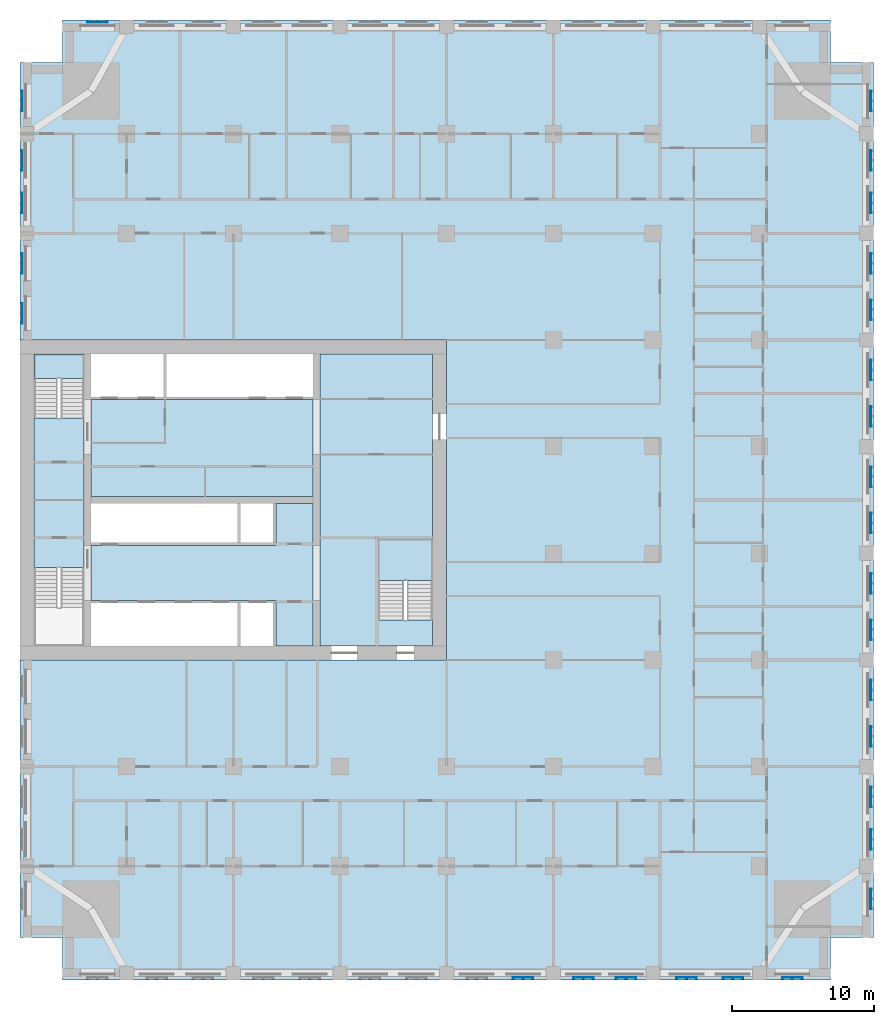
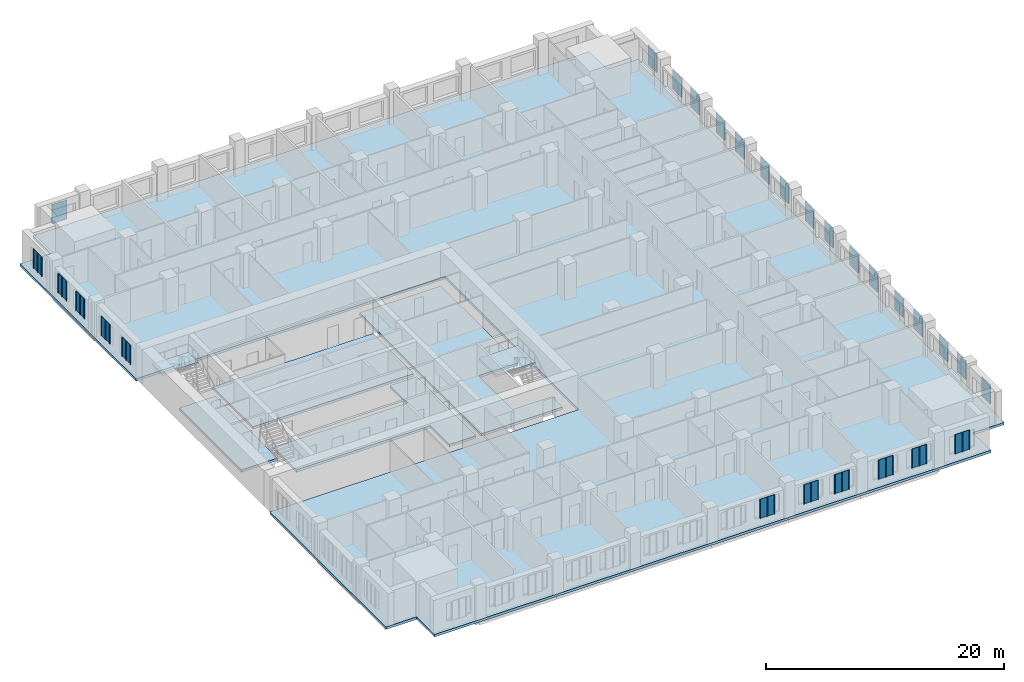
# One storey, part 2 of 14: 28 plates, 7 slabs, 2 elements without a shape of their own.
"""IFC4 building model written with IfcOpenShell, lengths in metres."""

from ifc_helpers import new_model, si_unit, direction, frame, origin, place, context, subcontext, project, spatial, polyline, outline, extrude, material, layer, layer_set, type_object, element, aggregate, save


model = new_model("IFC4")

# Units and contexts
model_context = context("Model", 3, precision=1e-05, world=origin(), true_north=direction((0.0, 1.0)))
body_context = subcontext(model_context, "Body", "Model", "MODEL_VIEW")
ifc_project = project(units=[si_unit("LENGTHUNIT", "METRE"), si_unit("AREAUNIT", "SQUARE_METRE"), si_unit("VOLUMEUNIT", "CUBIC_METRE"), si_unit("PLANEANGLEUNIT", "RADIAN"), si_unit("MASSUNIT", "GRAM", prefix="KILO")], contexts=[model_context])

# Site, building, storey
site_placement = place(None, origin())
site = spatial("IfcSite", under=ifc_project, at=site_placement, CompositionType="ELEMENT")
building_placement = place(site_placement, origin())
building = spatial("IfcBuilding", under=site, at=building_placement, Name="Tamorin Gate", CompositionType="ELEMENT")
storey_placement = place(building_placement, frame((0.0, 0.0, 44.800048828125)))
storey = spatial("IfcBuildingStorey", under=building, at=storey_placement, Name="L09", CompositionType="ELEMENT", Elevation=44.800048828125)

# Slabs
ifc_material_1 = material(Name="Concrete C40/50", Category="concrete")
ifc_layer_1 = layer(ifc_material_1, 0.25)
ifc_layer_set_1 = layer_set([ifc_layer_1], Name="Core floor slab 250 C40/50")
slab_type_1 = type_object("IfcSlabType", Name="Core floor slab 250 C40/50", PredefinedType="FLOOR", material=ifc_layer_set_1)
slab_1_placement = place(storey_placement, frame((0.0, 0.0, -0.25)))
element("IfcSlab", 1, at=slab_1_placement, inside=storey, type_object=slab_type_1, Name="Core floor L09", PredefinedType="FLOOR", context=body_context, shape_type="SweptSolid", body=[
    extrude(outline(polyline([(59.0, 62.800048828125), (59.0, 61.0), (51.10009765625, 61.0), (51.10009765625, 81.5), (59.0, 81.5), (59.0, 68.5), (55.199951171875, 68.5), (55.199951171875, 62.800048828125), (59.0, 62.800048828125)])), origin(), (0.0, 0.0, 1.0), 0.25),
])
slab_2_placement = place(storey_placement, frame((0.0, 0.0, -0.25)))
element("IfcSlab", 2, at=slab_2_placement, inside=storey, type_object=slab_type_1, Name="Core floor L09", PredefinedType="FLOOR", context=body_context, shape_type="SweptSolid", body=[
    extrude(outline(polyline([(50.60009765625, 61.0), (48.0, 61.0), (48.0, 64.199951171875), (35.0, 64.199951171875), (35.0, 68.050048828125), (48.0, 68.050048828125), (48.0, 71.0), (50.60009765625, 71.0), (50.60009765625, 61.0)])), origin(), (0.0, 0.0, 1.0), 0.25),
])
slab_3_placement = place(storey_placement, frame((0.0, 0.0, -0.25)))
element("IfcSlab", 3, at=slab_3_placement, inside=storey, type_object=slab_type_1, Name="Core floor L09", PredefinedType="FLOOR", context=body_context, shape_type="SweptSolid", body=[
    extrude(outline(polyline([(50.60009765625, 71.5), (35.0, 71.5), (35.0, 78.300048828125), (50.60009765625, 78.300048828125), (50.60009765625, 71.5)])), origin(), (0.0, 0.0, 1.0), 0.25),
])
slab_4_placement = place(storey_placement, frame((0.0, 0.0, -0.25)))
element("IfcSlab", 4, at=slab_4_placement, inside=storey, type_object=slab_type_1, Name="Core floor L09", PredefinedType="FLOOR", context=body_context, shape_type="SweptSolid", body=[
    extrude(outline(polyline([(31.0, 66.5), (31.0, 77.0), (34.5, 77.0), (34.5, 66.5), (31.0, 66.5)])), origin(), (0.0, 0.0, 1.0), 0.25),
])

# Stair, slab
stair_type = type_object("IfcStairType", Name="Exit stair", PredefinedType="HALF_TURN_STAIR", material=ifc_material_1)
stair_1_placement = place(storey_placement, origin())
stair_1 = element("IfcStair", 5, at=stair_1_placement, inside=storey, type_object=stair_type, Name="L09 stair ST2", PredefinedType="HALF_TURN_STAIR")
ifc_layer_2 = layer(ifc_material_1, 0.199951171875)
ifc_layer_set_2 = layer_set([ifc_layer_2], Name="Exit stair landing 200")
slab_type_2 = type_object("IfcSlabType", Name="Exit stair landing 200", PredefinedType="LANDING", material=ifc_layer_set_2)
slab_5_placement = place(storey_placement, frame((0.0, 0.0, 1.599853515625)))
slab_5 = element("IfcSlab", 6, at=slab_5_placement, type_object=slab_type_2, Name="ST2 landing 1", PredefinedType="LANDING", context=body_context, shape_type="SweptSolid", body=[
    extrude(outline(polyline([(34.5, 79.800048828125), (34.5, 81.5), (31.0, 81.5), (31.0, 79.800048828125), (34.5, 79.800048828125)])), origin(), (0.0, 0.0, 1.0), 0.2001953125),
])
aggregate(stair_1, [slab_5])

stair_2_placement = place(storey_placement, origin())
stair_2 = element("IfcStair", 7, at=stair_2_placement, inside=storey, type_object=stair_type, Name="L09 stair ST3", PredefinedType="HALF_TURN_STAIR")
slab_6_placement = place(storey_placement, frame((0.0, 0.0, 1.599853515625)))
slab_6 = element("IfcSlab", 8, at=slab_6_placement, type_object=slab_type_2, Name="ST3 landing 1", PredefinedType="LANDING", context=body_context, shape_type="SweptSolid", body=[
    extrude(outline(polyline([(59.0, 65.60009765625), (59.0, 68.5), (55.199951171875, 68.5), (55.199951171875, 65.60009765625), (59.0, 65.60009765625)])), origin(), (0.0, 0.0, 1.0), 0.2001953125),
])
aggregate(stair_2, [slab_6])

# Slab
ifc_layer_3 = layer(ifc_material_1, 0.25)
ifc_layer_set_3 = layer_set([ifc_layer_3], Name="Floor slab 250 C40/50")
slab_type_3 = type_object("IfcSlabType", Name="Floor slab 250 C40/50", PredefinedType="FLOOR", material=ifc_layer_set_3)
slab_7_placement = place(storey_placement, frame((0.0, 0.0, -0.25)))
element("IfcSlab", 9, at=slab_7_placement, inside=storey, type_object=slab_type_3, Name="Floor L09", PredefinedType="FLOOR", context=body_context, shape_type="SweptSolid", body=[
    extrude(outline(polyline([(30.0, 102.0), (33.0, 102.0), (33.0, 105.0), (87.0, 105.0), (87.0, 102.0), (90.0, 102.0), (90.0, 40.5), (87.0, 40.5), (87.0, 37.5), (33.0, 37.5), (33.0, 40.5), (30.0, 40.5), (30.0, 60.0), (60.0, 60.0), (60.0, 82.5), (30.0, 82.5), (30.0, 102.0)])), origin(), (0.0, 0.0, 1.0), 0.25),
])

# Plates
ifc_material_2 = material(Name="Perforated pale aluminium sheet", Category="aluminium")
ifc_layer_4 = layer(ifc_material_2, 0.0400390625)
ifc_layer_set_4 = layer_set([ifc_layer_4], Name="Pale metal solar screen 1440")
plate_type = type_object("IfcPlateType", Name="Pale metal solar screen 1440", PredefinedType="SHEET", material=ifc_layer_set_4)
plate_1_placement = place(storey_placement, frame((0.0, 0.0, 0.7099609375)))
element("IfcPlate", 10, at=plate_1_placement, inside=storey, type_object=plate_type, Name="Perforated solar screen", PredefinedType="SHEET", context=body_context, shape_type="SweptSolid", body=[
    extrude(outline(polyline([(64.655029296875, 37.659912109375), (64.655029296875, 37.699951171875), (64.715087890625, 37.699951171875), (65.344970703125, 37.699951171875), (65.405029296875, 37.699951171875), (66.034912109375, 37.699951171875), (66.094970703125, 37.699951171875), (66.094970703125, 37.659912109375), (66.094970703125, 37.60009765625), (66.034912109375, 37.60009765625), (66.034912109375, 37.659912109375), (65.405029296875, 37.659912109375), (65.405029296875, 37.60009765625), (65.344970703125, 37.60009765625), (65.344970703125, 37.659912109375), (64.715087890625, 37.659912109375), (64.715087890625, 37.60009765625), (64.655029296875, 37.60009765625), (64.655029296875, 37.659912109375)])), origin(), (0.0, 0.0, 1.0), 1.97998046875),
])
plate_2_placement = place(storey_placement, frame((0.0, 0.0, 0.7099609375)))
element("IfcPlate", 11, at=plate_2_placement, inside=storey, type_object=plate_type, Name="Perforated solar screen", PredefinedType="SHEET", context=body_context, shape_type="SweptSolid", body=[
    extrude(outline(polyline([(68.905029296875, 37.659912109375), (68.905029296875, 37.699951171875), (68.965087890625, 37.699951171875), (69.594970703125, 37.699951171875), (69.655029296875, 37.699951171875), (70.284912109375, 37.699951171875), (70.344970703125, 37.699951171875), (70.344970703125, 37.659912109375), (70.344970703125, 37.60009765625), (70.284912109375, 37.60009765625), (70.284912109375, 37.659912109375), (69.655029296875, 37.659912109375), (69.655029296875, 37.60009765625), (69.594970703125, 37.60009765625), (69.594970703125, 37.659912109375), (68.965087890625, 37.659912109375), (68.965087890625, 37.60009765625), (68.905029296875, 37.60009765625), (68.905029296875, 37.659912109375)])), origin(), (0.0, 0.0, 1.0), 1.97998046875),
])
plate_3_placement = place(storey_placement, frame((0.0, 0.0, 0.7099609375)))
element("IfcPlate", 12, at=plate_3_placement, inside=storey, type_object=plate_type, Name="Perforated solar screen", PredefinedType="SHEET", context=body_context, shape_type="SweptSolid", body=[
    extrude(outline(polyline([(71.905029296875, 37.659912109375), (71.905029296875, 37.699951171875), (71.965087890625, 37.699951171875), (72.594970703125, 37.699951171875), (72.655029296875, 37.699951171875), (73.284912109375, 37.699951171875), (73.344970703125, 37.699951171875), (73.344970703125, 37.659912109375), (73.344970703125, 37.60009765625), (73.284912109375, 37.60009765625), (73.284912109375, 37.659912109375), (72.655029296875, 37.659912109375), (72.655029296875, 37.60009765625), (72.594970703125, 37.60009765625), (72.594970703125, 37.659912109375), (71.965087890625, 37.659912109375), (71.965087890625, 37.60009765625), (71.905029296875, 37.60009765625), (71.905029296875, 37.659912109375)])), origin(), (0.0, 0.0, 1.0), 1.97998046875),
])
plate_4_placement = place(storey_placement, frame((0.0, 0.0, 0.7099609375)))
element("IfcPlate", 13, at=plate_4_placement, inside=storey, type_object=plate_type, Name="Perforated solar screen", PredefinedType="SHEET", context=body_context, shape_type="SweptSolid", body=[
    extrude(outline(polyline([(76.155029296875, 37.659912109375), (76.155029296875, 37.699951171875), (76.215087890625, 37.699951171875), (76.844970703125, 37.699951171875), (76.905029296875, 37.699951171875), (77.534912109375, 37.699951171875), (77.594970703125, 37.699951171875), (77.594970703125, 37.659912109375), (77.594970703125, 37.60009765625), (77.534912109375, 37.60009765625), (77.534912109375, 37.659912109375), (76.905029296875, 37.659912109375), (76.905029296875, 37.60009765625), (76.844970703125, 37.60009765625), (76.844970703125, 37.659912109375), (76.215087890625, 37.659912109375), (76.215087890625, 37.60009765625), (76.155029296875, 37.60009765625), (76.155029296875, 37.659912109375)])), origin(), (0.0, 0.0, 1.0), 1.97998046875),
])
plate_5_placement = place(storey_placement, frame((0.0, 0.0, 0.7099609375)))
element("IfcPlate", 14, at=plate_5_placement, inside=storey, type_object=plate_type, Name="Perforated solar screen", PredefinedType="SHEET", context=body_context, shape_type="SweptSolid", body=[
    extrude(outline(polyline([(79.405029296875, 37.659912109375), (79.405029296875, 37.699951171875), (79.465087890625, 37.699951171875), (80.094970703125, 37.699951171875), (80.155029296875, 37.699951171875), (80.784912109375, 37.699951171875), (80.844970703125, 37.699951171875), (80.844970703125, 37.659912109375), (80.844970703125, 37.60009765625), (80.784912109375, 37.60009765625), (80.784912109375, 37.659912109375), (80.155029296875, 37.659912109375), (80.155029296875, 37.60009765625), (80.094970703125, 37.60009765625), (80.094970703125, 37.659912109375), (79.465087890625, 37.659912109375), (79.465087890625, 37.60009765625), (79.405029296875, 37.60009765625), (79.405029296875, 37.659912109375)])), origin(), (0.0, 0.0, 1.0), 1.97998046875),
])
plate_6_placement = place(storey_placement, frame((0.0, 0.0, 0.7099609375)))
element("IfcPlate", 15, at=plate_6_placement, inside=storey, type_object=plate_type, Name="Perforated solar screen", PredefinedType="SHEET", context=body_context, shape_type="SweptSolid", body=[
    extrude(outline(polyline([(83.580078125, 37.659912109375), (83.580078125, 37.699951171875), (83.639892578125, 37.699951171875), (84.27001953125, 37.699951171875), (84.330078125, 37.699951171875), (84.9599609375, 37.699951171875), (85.02001953125, 37.699951171875), (85.02001953125, 37.659912109375), (85.02001953125, 37.60009765625), (84.9599609375, 37.60009765625), (84.9599609375, 37.659912109375), (84.330078125, 37.659912109375), (84.330078125, 37.60009765625), (84.27001953125, 37.60009765625), (84.27001953125, 37.659912109375), (83.639892578125, 37.659912109375), (83.639892578125, 37.60009765625), (83.580078125, 37.60009765625), (83.580078125, 37.659912109375)])), origin(), (0.0, 0.0, 1.0), 1.97998046875),
])
plate_7_placement = place(storey_placement, frame((0.0, 0.0, 0.7099609375)))
element("IfcPlate", 16, at=plate_7_placement, inside=storey, type_object=plate_type, Name="Perforated solar screen", PredefinedType="SHEET", context=body_context, shape_type="SweptSolid", body=[
    extrude(outline(polyline([(89.840087890625, 42.47998046875), (89.800048828125, 42.47998046875), (89.800048828125, 42.5400390625), (89.800048828125, 43.169921875), (89.800048828125, 43.22998046875), (89.800048828125, 43.860107421875), (89.800048828125, 43.919921875), (89.840087890625, 43.919921875), (89.89990234375, 43.919921875), (89.89990234375, 43.860107421875), (89.840087890625, 43.860107421875), (89.840087890625, 43.22998046875), (89.89990234375, 43.22998046875), (89.89990234375, 43.169921875), (89.840087890625, 43.169921875), (89.840087890625, 42.5400390625), (89.89990234375, 42.5400390625), (89.89990234375, 42.47998046875), (89.840087890625, 42.47998046875)])), origin(), (0.0, 0.0, 1.0), 1.97998046875),
])
plate_8_placement = place(storey_placement, frame((0.0, 0.0, 0.7099609375)))
element("IfcPlate", 17, at=plate_8_placement, inside=storey, type_object=plate_type, Name="Perforated solar screen", PredefinedType="SHEET", context=body_context, shape_type="SweptSolid", body=[
    extrude(outline(polyline([(89.840087890625, 46.655029296875), (89.800048828125, 46.655029296875), (89.800048828125, 46.715087890625), (89.800048828125, 47.344970703125), (89.800048828125, 47.405029296875), (89.800048828125, 48.034912109375), (89.800048828125, 48.094970703125), (89.800048828125, 48.094970703125), (89.840087890625, 48.094970703125), (89.840087890625, 48.094970703125), (89.89990234375, 48.094970703125), (89.89990234375, 48.034912109375), (89.840087890625, 48.034912109375), (89.840087890625, 47.405029296875), (89.89990234375, 47.405029296875), (89.89990234375, 47.344970703125), (89.840087890625, 47.344970703125), (89.840087890625, 46.715087890625), (89.89990234375, 46.715087890625), (89.89990234375, 46.655029296875), (89.840087890625, 46.655029296875)])), origin(), (0.0, 0.0, 1.0), 1.97998046875),
])
plate_9_placement = place(storey_placement, frame((0.0, 0.0, 0.7099609375)))
element("IfcPlate", 18, at=plate_9_placement, inside=storey, type_object=plate_type, Name="Perforated solar screen", PredefinedType="SHEET", context=body_context, shape_type="SweptSolid", body=[
    extrude(outline(polyline([(89.840087890625, 49.655029296875), (89.800048828125, 49.655029296875), (89.800048828125, 49.715087890625), (89.800048828125, 50.344970703125), (89.800048828125, 50.405029296875), (89.800048828125, 51.034912109375), (89.800048828125, 51.094970703125), (89.840087890625, 51.094970703125), (89.89990234375, 51.094970703125), (89.89990234375, 51.034912109375), (89.840087890625, 51.034912109375), (89.840087890625, 50.405029296875), (89.89990234375, 50.405029296875), (89.89990234375, 50.344970703125), (89.840087890625, 50.344970703125), (89.840087890625, 49.715087890625), (89.89990234375, 49.715087890625), (89.89990234375, 49.655029296875), (89.840087890625, 49.655029296875)])), origin(), (0.0, 0.0, 1.0), 1.97998046875),
])
plate_10_placement = place(storey_placement, frame((0.0, 0.0, 0.7099609375)))
element("IfcPlate", 19, at=plate_10_placement, inside=storey, type_object=plate_type, Name="Perforated solar screen", PredefinedType="SHEET", context=body_context, shape_type="SweptSolid", body=[
    extrude(outline(polyline([(89.840087890625, 53.905029296875), (89.800048828125, 53.905029296875), (89.800048828125, 53.965087890625), (89.800048828125, 54.594970703125), (89.800048828125, 54.655029296875), (89.800048828125, 55.284912109375), (89.800048828125, 55.344970703125), (89.840087890625, 55.344970703125), (89.89990234375, 55.344970703125), (89.89990234375, 55.284912109375), (89.840087890625, 55.284912109375), (89.840087890625, 54.655029296875), (89.89990234375, 54.655029296875), (89.89990234375, 54.594970703125), (89.840087890625, 54.594970703125), (89.840087890625, 53.965087890625), (89.89990234375, 53.965087890625), (89.89990234375, 53.905029296875), (89.840087890625, 53.905029296875)])), origin(), (0.0, 0.0, 1.0), 1.97998046875),
])
plate_11_placement = place(storey_placement, frame((0.0, 0.0, 0.7099609375)))
element("IfcPlate", 20, at=plate_11_placement, inside=storey, type_object=plate_type, Name="Perforated solar screen", PredefinedType="SHEET", context=body_context, shape_type="SweptSolid", body=[
    extrude(outline(polyline([(89.840087890625, 57.155029296875), (89.800048828125, 57.155029296875), (89.800048828125, 57.215087890625), (89.800048828125, 57.844970703125), (89.800048828125, 57.905029296875), (89.800048828125, 58.534912109375), (89.800048828125, 58.594970703125), (89.840087890625, 58.594970703125), (89.89990234375, 58.594970703125), (89.89990234375, 58.534912109375), (89.840087890625, 58.534912109375), (89.840087890625, 57.905029296875), (89.89990234375, 57.905029296875), (89.89990234375, 57.844970703125), (89.840087890625, 57.844970703125), (89.840087890625, 57.215087890625), (89.89990234375, 57.215087890625), (89.89990234375, 57.155029296875), (89.840087890625, 57.155029296875)])), origin(), (0.0, 0.0, 1.0), 1.97998046875),
])
plate_12_placement = place(storey_placement, frame((0.0, 0.0, 0.7099609375)))
element("IfcPlate", 21, at=plate_12_placement, inside=storey, type_object=plate_type, Name="Perforated solar screen", PredefinedType="SHEET", context=body_context, shape_type="SweptSolid", body=[
    extrude(outline(polyline([(89.840087890625, 61.405029296875), (89.800048828125, 61.405029296875), (89.800048828125, 61.465087890625), (89.800048828125, 62.094970703125), (89.800048828125, 62.155029296875), (89.800048828125, 62.784912109375), (89.800048828125, 62.844970703125), (89.840087890625, 62.844970703125), (89.89990234375, 62.844970703125), (89.89990234375, 62.784912109375), (89.840087890625, 62.784912109375), (89.840087890625, 62.155029296875), (89.89990234375, 62.155029296875), (89.89990234375, 62.094970703125), (89.840087890625, 62.094970703125), (89.840087890625, 61.465087890625), (89.89990234375, 61.465087890625), (89.89990234375, 61.405029296875), (89.840087890625, 61.405029296875)])), origin(), (0.0, 0.0, 1.0), 1.97998046875),
])
plate_13_placement = place(storey_placement, frame((0.0, 0.0, 0.7099609375)))
element("IfcPlate", 22, at=plate_13_placement, inside=storey, type_object=plate_type, Name="Perforated solar screen", PredefinedType="SHEET", context=body_context, shape_type="SweptSolid", body=[
    extrude(outline(polyline([(89.840087890625, 64.655029296875), (89.800048828125, 64.655029296875), (89.800048828125, 64.715087890625), (89.800048828125, 65.344970703125), (89.800048828125, 65.405029296875), (89.800048828125, 66.034912109375), (89.800048828125, 66.094970703125), (89.840087890625, 66.094970703125), (89.89990234375, 66.094970703125), (89.89990234375, 66.034912109375), (89.840087890625, 66.034912109375), (89.840087890625, 65.405029296875), (89.89990234375, 65.405029296875), (89.89990234375, 65.344970703125), (89.840087890625, 65.344970703125), (89.840087890625, 64.715087890625), (89.89990234375, 64.715087890625), (89.89990234375, 64.655029296875), (89.840087890625, 64.655029296875)])), origin(), (0.0, 0.0, 1.0), 1.97998046875),
])
plate_14_placement = place(storey_placement, frame((0.0, 0.0, 0.7099609375)))
element("IfcPlate", 23, at=plate_14_placement, inside=storey, type_object=plate_type, Name="Perforated solar screen", PredefinedType="SHEET", context=body_context, shape_type="SweptSolid", body=[
    extrude(outline(polyline([(89.840087890625, 68.905029296875), (89.800048828125, 68.905029296875), (89.800048828125, 68.965087890625), (89.800048828125, 69.594970703125), (89.800048828125, 69.655029296875), (89.800048828125, 70.284912109375), (89.800048828125, 70.344970703125), (89.840087890625, 70.344970703125), (89.89990234375, 70.344970703125), (89.89990234375, 70.284912109375), (89.840087890625, 70.284912109375), (89.840087890625, 69.655029296875), (89.89990234375, 69.655029296875), (89.89990234375, 69.594970703125), (89.840087890625, 69.594970703125), (89.840087890625, 68.965087890625), (89.89990234375, 68.965087890625), (89.89990234375, 68.905029296875), (89.840087890625, 68.905029296875)])), origin(), (0.0, 0.0, 1.0), 1.97998046875),
])
plate_15_placement = place(storey_placement, frame((0.0, 0.0, 0.7099609375)))
element("IfcPlate", 24, at=plate_15_placement, inside=storey, type_object=plate_type, Name="Perforated solar screen", PredefinedType="SHEET", context=body_context, shape_type="SweptSolid", body=[
    extrude(outline(polyline([(89.840087890625, 72.155029296875), (89.800048828125, 72.155029296875), (89.800048828125, 72.215087890625), (89.800048828125, 72.844970703125), (89.800048828125, 72.905029296875), (89.800048828125, 73.534912109375), (89.800048828125, 73.594970703125), (89.840087890625, 73.594970703125), (89.89990234375, 73.594970703125), (89.89990234375, 73.534912109375), (89.840087890625, 73.534912109375), (89.840087890625, 72.905029296875), (89.89990234375, 72.905029296875), (89.89990234375, 72.844970703125), (89.840087890625, 72.844970703125), (89.840087890625, 72.215087890625), (89.89990234375, 72.215087890625), (89.89990234375, 72.155029296875), (89.840087890625, 72.155029296875)])), origin(), (0.0, 0.0, 1.0), 1.97998046875),
])
plate_16_placement = place(storey_placement, frame((0.0, 0.0, 0.7099609375)))
element("IfcPlate", 25, at=plate_16_placement, inside=storey, type_object=plate_type, Name="Perforated solar screen", PredefinedType="SHEET", context=body_context, shape_type="SweptSolid", body=[
    extrude(outline(polyline([(89.840087890625, 76.405029296875), (89.800048828125, 76.405029296875), (89.800048828125, 76.465087890625), (89.800048828125, 77.094970703125), (89.800048828125, 77.155029296875), (89.800048828125, 77.784912109375), (89.800048828125, 77.844970703125), (89.840087890625, 77.844970703125), (89.89990234375, 77.844970703125), (89.89990234375, 77.784912109375), (89.840087890625, 77.784912109375), (89.840087890625, 77.155029296875), (89.89990234375, 77.155029296875), (89.89990234375, 77.094970703125), (89.840087890625, 77.094970703125), (89.840087890625, 76.465087890625), (89.89990234375, 76.465087890625), (89.89990234375, 76.405029296875), (89.840087890625, 76.405029296875)])), origin(), (0.0, 0.0, 1.0), 1.97998046875),
])
plate_17_placement = place(storey_placement, frame((0.0, 0.0, 0.7099609375)))
element("IfcPlate", 26, at=plate_17_placement, inside=storey, type_object=plate_type, Name="Perforated solar screen", PredefinedType="SHEET", context=body_context, shape_type="SweptSolid", body=[
    extrude(outline(polyline([(89.840087890625, 79.655029296875), (89.800048828125, 79.655029296875), (89.800048828125, 79.715087890625), (89.800048828125, 80.344970703125), (89.800048828125, 80.405029296875), (89.800048828125, 81.034912109375), (89.800048828125, 81.094970703125), (89.840087890625, 81.094970703125), (89.89990234375, 81.094970703125), (89.89990234375, 81.034912109375), (89.840087890625, 81.034912109375), (89.840087890625, 80.405029296875), (89.89990234375, 80.405029296875), (89.89990234375, 80.344970703125), (89.840087890625, 80.344970703125), (89.840087890625, 79.715087890625), (89.89990234375, 79.715087890625), (89.89990234375, 79.655029296875), (89.840087890625, 79.655029296875)])), origin(), (0.0, 0.0, 1.0), 1.97998046875),
])
plate_18_placement = place(storey_placement, frame((0.0, 0.0, 0.7099609375)))
element("IfcPlate", 27, at=plate_18_placement, inside=storey, type_object=plate_type, Name="Perforated solar screen", PredefinedType="SHEET", context=body_context, shape_type="SweptSolid", body=[
    extrude(outline(polyline([(89.840087890625, 83.905029296875), (89.800048828125, 83.905029296875), (89.800048828125, 83.965087890625), (89.800048828125, 84.594970703125), (89.800048828125, 84.655029296875), (89.800048828125, 85.284912109375), (89.800048828125, 85.344970703125), (89.840087890625, 85.344970703125), (89.89990234375, 85.344970703125), (89.89990234375, 85.284912109375), (89.840087890625, 85.284912109375), (89.840087890625, 84.655029296875), (89.89990234375, 84.655029296875), (89.89990234375, 84.594970703125), (89.840087890625, 84.594970703125), (89.840087890625, 83.965087890625), (89.89990234375, 83.965087890625), (89.89990234375, 83.905029296875), (89.840087890625, 83.905029296875)])), origin(), (0.0, 0.0, 1.0), 1.97998046875),
])
plate_19_placement = place(storey_placement, frame((0.0, 0.0, 0.7099609375)))
element("IfcPlate", 28, at=plate_19_placement, inside=storey, type_object=plate_type, Name="Perforated solar screen", PredefinedType="SHEET", context=body_context, shape_type="SweptSolid", body=[
    extrude(outline(polyline([(89.840087890625, 87.155029296875), (89.800048828125, 87.155029296875), (89.800048828125, 87.215087890625), (89.800048828125, 87.844970703125), (89.800048828125, 87.905029296875), (89.800048828125, 88.534912109375), (89.800048828125, 88.594970703125), (89.840087890625, 88.594970703125), (89.89990234375, 88.594970703125), (89.89990234375, 88.534912109375), (89.840087890625, 88.534912109375), (89.840087890625, 87.905029296875), (89.89990234375, 87.905029296875), (89.89990234375, 87.844970703125), (89.840087890625, 87.844970703125), (89.840087890625, 87.215087890625), (89.89990234375, 87.215087890625), (89.89990234375, 87.155029296875), (89.840087890625, 87.155029296875)])), origin(), (0.0, 0.0, 1.0), 1.97998046875),
])
plate_20_placement = place(storey_placement, frame((0.0, 0.0, 0.7099609375)))
element("IfcPlate", 29, at=plate_20_placement, inside=storey, type_object=plate_type, Name="Perforated solar screen", PredefinedType="SHEET", context=body_context, shape_type="SweptSolid", body=[
    extrude(outline(polyline([(89.840087890625, 91.405029296875), (89.800048828125, 91.405029296875), (89.800048828125, 91.465087890625), (89.800048828125, 92.094970703125), (89.800048828125, 92.155029296875), (89.800048828125, 92.784912109375), (89.800048828125, 92.844970703125), (89.840087890625, 92.844970703125), (89.89990234375, 92.844970703125), (89.89990234375, 92.784912109375), (89.840087890625, 92.784912109375), (89.840087890625, 92.155029296875), (89.89990234375, 92.155029296875), (89.89990234375, 92.094970703125), (89.840087890625, 92.094970703125), (89.840087890625, 91.465087890625), (89.89990234375, 91.465087890625), (89.89990234375, 91.405029296875), (89.840087890625, 91.405029296875)])), origin(), (0.0, 0.0, 1.0), 1.97998046875),
])
plate_21_placement = place(storey_placement, frame((0.0, 0.0, 0.7099609375)))
element("IfcPlate", 30, at=plate_21_placement, inside=storey, type_object=plate_type, Name="Perforated solar screen", PredefinedType="SHEET", context=body_context, shape_type="SweptSolid", body=[
    extrude(outline(polyline([(89.840087890625, 94.405029296875), (89.800048828125, 94.405029296875), (89.800048828125, 94.465087890625), (89.800048828125, 95.094970703125), (89.800048828125, 95.155029296875), (89.800048828125, 95.784912109375), (89.800048828125, 95.844970703125), (89.840087890625, 95.844970703125), (89.89990234375, 95.844970703125), (89.89990234375, 95.784912109375), (89.840087890625, 95.784912109375), (89.840087890625, 95.155029296875), (89.89990234375, 95.155029296875), (89.89990234375, 95.094970703125), (89.840087890625, 95.094970703125), (89.840087890625, 94.465087890625), (89.89990234375, 94.465087890625), (89.89990234375, 94.405029296875), (89.840087890625, 94.405029296875)])), origin(), (0.0, 0.0, 1.0), 1.97998046875),
])
plate_22_placement = place(storey_placement, frame((0.0, 0.0, 0.7099609375)))
element("IfcPlate", 31, at=plate_22_placement, inside=storey, type_object=plate_type, Name="Perforated solar screen", PredefinedType="SHEET", context=body_context, shape_type="SweptSolid", body=[
    extrude(outline(polyline([(89.840087890625, 98.580078125), (89.800048828125, 98.580078125), (89.800048828125, 98.639892578125), (89.800048828125, 99.27001953125), (89.800048828125, 99.330078125), (89.800048828125, 99.9599609375), (89.800048828125, 100.02001953125), (89.840087890625, 100.02001953125), (89.89990234375, 100.02001953125), (89.89990234375, 99.9599609375), (89.840087890625, 99.9599609375), (89.840087890625, 99.330078125), (89.89990234375, 99.330078125), (89.89990234375, 99.27001953125), (89.840087890625, 99.27001953125), (89.840087890625, 98.639892578125), (89.89990234375, 98.639892578125), (89.89990234375, 98.580078125), (89.840087890625, 98.580078125)])), origin(), (0.0, 0.0, 1.0), 1.97998046875),
])
plate_23_placement = place(storey_placement, frame((0.0, 0.0, 0.7099609375)))
element("IfcPlate", 32, at=plate_23_placement, inside=storey, type_object=plate_type, Name="Perforated solar screen", PredefinedType="SHEET", context=body_context, shape_type="SweptSolid", body=[
    extrude(outline(polyline([(36.169921875, 104.840087890625), (36.169921875, 104.800048828125), (36.110107421875, 104.800048828125), (35.47998046875, 104.800048828125), (35.419921875, 104.800048828125), (34.7900390625, 104.800048828125), (34.72998046875, 104.800048828125), (34.72998046875, 104.840087890625), (34.72998046875, 104.89990234375), (34.7900390625, 104.89990234375), (34.7900390625, 104.840087890625), (35.419921875, 104.840087890625), (35.419921875, 104.89990234375), (35.47998046875, 104.89990234375), (35.47998046875, 104.840087890625), (36.110107421875, 104.840087890625), (36.110107421875, 104.89990234375), (36.169921875, 104.89990234375), (36.169921875, 104.840087890625)])), origin(), (0.0, 0.0, 1.0), 1.97998046875),
])
plate_24_placement = place(storey_placement, frame((0.0, 0.0, 0.7099609375)))
element("IfcPlate", 33, at=plate_24_placement, inside=storey, type_object=plate_type, Name="Perforated solar screen", PredefinedType="SHEET", context=body_context, shape_type="SweptSolid", body=[
    extrude(outline(polyline([(30.159912109375, 100.02001953125), (30.199951171875, 100.02001953125), (30.199951171875, 99.9599609375), (30.199951171875, 99.330078125), (30.199951171875, 99.27001953125), (30.199951171875, 98.639892578125), (30.199951171875, 98.580078125), (30.159912109375, 98.580078125), (30.10009765625, 98.580078125), (30.10009765625, 98.639892578125), (30.159912109375, 98.639892578125), (30.159912109375, 99.27001953125), (30.10009765625, 99.27001953125), (30.10009765625, 99.330078125), (30.159912109375, 99.330078125), (30.159912109375, 99.9599609375), (30.10009765625, 99.9599609375), (30.10009765625, 100.02001953125), (30.159912109375, 100.02001953125)])), origin(), (0.0, 0.0, 1.0), 1.97998046875),
])
plate_25_placement = place(storey_placement, frame((0.0, 0.0, 0.7099609375)))
element("IfcPlate", 34, at=plate_25_placement, inside=storey, type_object=plate_type, Name="Perforated solar screen", PredefinedType="SHEET", context=body_context, shape_type="SweptSolid", body=[
    extrude(outline(polyline([(30.159912109375, 92.844970703125), (30.199951171875, 92.844970703125), (30.199951171875, 92.784912109375), (30.199951171875, 92.155029296875), (30.199951171875, 92.094970703125), (30.199951171875, 91.465087890625), (30.199951171875, 91.405029296875), (30.159912109375, 91.405029296875), (30.10009765625, 91.405029296875), (30.10009765625, 91.465087890625), (30.159912109375, 91.465087890625), (30.159912109375, 92.094970703125), (30.10009765625, 92.094970703125), (30.10009765625, 92.155029296875), (30.159912109375, 92.155029296875), (30.159912109375, 92.784912109375), (30.10009765625, 92.784912109375), (30.10009765625, 92.844970703125), (30.159912109375, 92.844970703125)])), origin(), (0.0, 0.0, 1.0), 1.97998046875),
])
plate_26_placement = place(storey_placement, frame((0.0, 0.0, 0.7099609375)))
element("IfcPlate", 35, at=plate_26_placement, inside=storey, type_object=plate_type, Name="Perforated solar screen", PredefinedType="SHEET", context=body_context, shape_type="SweptSolid", body=[
    extrude(outline(polyline([(30.159912109375, 95.844970703125), (30.199951171875, 95.844970703125), (30.199951171875, 95.784912109375), (30.199951171875, 95.155029296875), (30.199951171875, 95.094970703125), (30.199951171875, 94.465087890625), (30.199951171875, 94.405029296875), (30.199951171875, 94.405029296875), (30.159912109375, 94.405029296875), (30.159912109375, 94.405029296875), (30.10009765625, 94.405029296875), (30.10009765625, 94.465087890625), (30.159912109375, 94.465087890625), (30.159912109375, 95.094970703125), (30.10009765625, 95.094970703125), (30.10009765625, 95.155029296875), (30.159912109375, 95.155029296875), (30.159912109375, 95.784912109375), (30.10009765625, 95.784912109375), (30.10009765625, 95.844970703125), (30.159912109375, 95.844970703125)])), origin(), (0.0, 0.0, 1.0), 1.97998046875),
])
plate_27_placement = place(storey_placement, frame((0.0, 0.0, 0.7099609375)))
element("IfcPlate", 36, at=plate_27_placement, inside=storey, type_object=plate_type, Name="Perforated solar screen", PredefinedType="SHEET", context=body_context, shape_type="SweptSolid", body=[
    extrude(outline(polyline([(30.159912109375, 85.094970703125), (30.199951171875, 85.094970703125), (30.199951171875, 85.034912109375), (30.199951171875, 84.405029296875), (30.199951171875, 84.344970703125), (30.199951171875, 83.715087890625), (30.199951171875, 83.655029296875), (30.159912109375, 83.655029296875), (30.10009765625, 83.655029296875), (30.10009765625, 83.715087890625), (30.159912109375, 83.715087890625), (30.159912109375, 84.344970703125), (30.10009765625, 84.344970703125), (30.10009765625, 84.405029296875), (30.159912109375, 84.405029296875), (30.159912109375, 85.034912109375), (30.10009765625, 85.034912109375), (30.10009765625, 85.094970703125), (30.159912109375, 85.094970703125)])), origin(), (0.0, 0.0, 1.0), 1.97998046875),
])
plate_28_placement = place(storey_placement, frame((0.0, 0.0, 0.7099609375)))
element("IfcPlate", 37, at=plate_28_placement, inside=storey, type_object=plate_type, Name="Perforated solar screen", PredefinedType="SHEET", context=body_context, shape_type="SweptSolid", body=[
    extrude(outline(polyline([(30.159912109375, 88.594970703125), (30.199951171875, 88.594970703125), (30.199951171875, 88.534912109375), (30.199951171875, 87.905029296875), (30.199951171875, 87.844970703125), (30.199951171875, 87.215087890625), (30.199951171875, 87.155029296875), (30.159912109375, 87.155029296875), (30.10009765625, 87.155029296875), (30.10009765625, 87.215087890625), (30.159912109375, 87.215087890625), (30.159912109375, 87.844970703125), (30.10009765625, 87.844970703125), (30.10009765625, 87.905029296875), (30.159912109375, 87.905029296875), (30.159912109375, 88.534912109375), (30.10009765625, 88.534912109375), (30.10009765625, 88.594970703125), (30.159912109375, 88.594970703125)])), origin(), (0.0, 0.0, 1.0), 1.97998046875),
])

save(model, "model.ifc")
